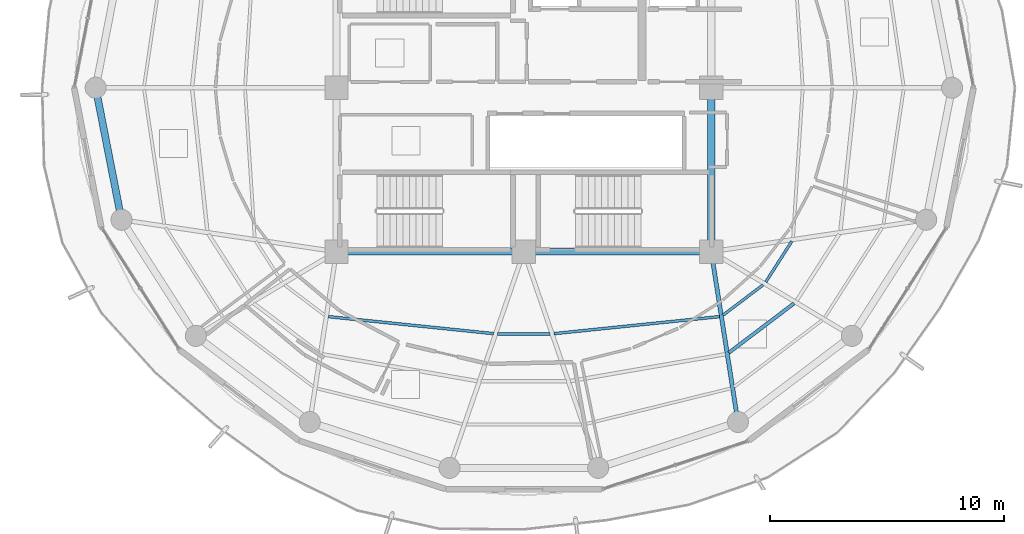
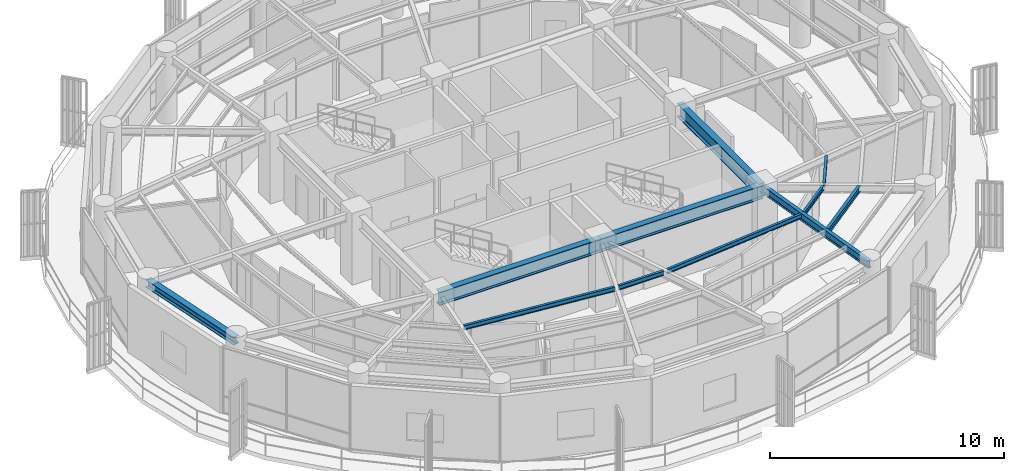
# One storey, part 6 of 23: 11 beams.
"""IFC4 building model written with IfcOpenShell, lengths in metres."""

from ifc_helpers import new_model, si_unit, direction, frame, origin, origin_2d, place, context, subcontext, project, spatial, i_section, extrude, material, material_profile, profile_set, type_object, element, save


model = new_model("IFC4")

# Units and contexts
model_context = context("Model", 3, precision=1e-05, world=origin(), true_north=direction((0.0, 1.0)))
body_context = subcontext(model_context, "Body", "Model", "MODEL_VIEW")
ifc_project = project(units=[si_unit("LENGTHUNIT", "METRE"), si_unit("AREAUNIT", "SQUARE_METRE"), si_unit("VOLUMEUNIT", "CUBIC_METRE"), si_unit("PLANEANGLEUNIT", "RADIAN"), si_unit("MASSUNIT", "GRAM", prefix="KILO")], contexts=[model_context])

# Site, building, storey
site_placement = place(None, origin())
site = spatial("IfcSite", under=ifc_project, at=site_placement, CompositionType="ELEMENT")
building_placement = place(site_placement, origin())
building = spatial("IfcBuilding", under=site, at=building_placement, Name="Kelanora Arch Commons", CompositionType="ELEMENT")
storey_placement = place(building_placement, frame((0.0, 0.0, 282.449951171875)))
storey = spatial("IfcBuildingStorey", under=building, at=storey_placement, Name="L72", CompositionType="ELEMENT", Elevation=282.449951171875)

# Beams
ifc_material = material(Name="Steel S355", Category="steel")
ifc_material_profile_1 = material_profile(ifc_material, i_section(OverallWidth=0.300048828125, OverallDepth=0.699951171875, WebThickness=0.01708984375, FlangeThickness=0.031982421875, FilletRadius=0.027099609375, at=origin_2d()), Name="HEB700")
ifc_profile_set_1 = profile_set([ifc_material_profile_1], Name="Steel S355")
beam_type_1 = type_object("IfcBeamType", Name="BM-CORE-HDR", PredefinedType="BEAM", material=ifc_profile_set_1)
for number, where, z_axis, x_axis, name in (
    (1, (66.0, 51.0, 3.14013671875), (1.0, 0.0, 0.0), (0.0, 1.0, 0.0), "Core Header Beam 01 L72"),
    (2, (74.0, 51.0, 3.14013671875), (1.0, 0.0, 0.0), (0.0, 1.0, 0.0), "Core Header Beam 02 L72"),
):
    element("IfcBeam", number, at=place(storey_placement, frame(where, z_axis=z_axis, x_axis=x_axis)), inside=storey, type_object=beam_type_1, Name=name, PredefinedType="BEAM", context=body_context, shape_type="SweptSolid", body=[
        extrude(i_section(OverallWidth=0.300048828125, OverallDepth=0.699951171875, WebThickness=0.01708984375, FlangeThickness=0.031982421875, FilletRadius=0.027099609375, at=origin_2d()), origin(), (0.0, 0.0, 1.0), 8.0),
    ])
beam_1_placement = place(storey_placement, frame((82.0, 51.0, 3.14013671875), z_axis=(0.0, 1.0, 0.0), x_axis=(-1.0, 0.0, 0.0)))
element("IfcBeam", 3, at=beam_1_placement, inside=storey, type_object=beam_type_1, Name="Core Header Beam 03 L72", PredefinedType="BEAM", context=body_context, shape_type="SweptSolid", body=[
    extrude(i_section(OverallWidth=0.300048828125, OverallDepth=0.699951171875, WebThickness=0.01708984375, FlangeThickness=0.031982421875, FilletRadius=0.027099609375, at=origin_2d()), origin(), (0.0, 0.0, 1.0), 7.0),
])
ifc_material_profile_2 = material_profile(ifc_material, i_section(OverallWidth=0.14990234375, OverallDepth=0.300048828125, WebThickness=0.007080078125, FlangeThickness=0.0107421875, FilletRadius=0.014892578125, at=origin_2d()), Name="IPE300")
ifc_profile_set_2 = profile_set([ifc_material_profile_2], Name="Steel S355")
beam_type_2 = type_object("IfcBeamType", Name="BM-JST-01", PredefinedType="JOIST", material=ifc_profile_set_2)
beam_2_placement = place(storey_placement, frame((82.751708984375, 46.68798828125, 3.340087890625), z_axis=(0.797499198801, 0.603320004568, 0.0), x_axis=(-0.603320004568, 0.797499198801, 0.0)))
element("IfcBeam", 4, at=beam_2_placement, inside=storey, type_object=beam_type_2, Name="Secondary Chord Joist BJB-30 L72", PredefinedType="JOIST", context=body_context, shape_type="SweptSolid", body=[
    extrude(i_section(OverallWidth=0.14990234375, OverallDepth=0.300048828125, WebThickness=0.007080078125, FlangeThickness=0.0107421875, FilletRadius=0.014892578125, at=origin_2d()), origin(), (0.0, 0.0, 1.0), 3.489013671875),
])
ifc_material_profile_3 = material_profile(ifc_material, i_section(OverallWidth=0.1201171875, OverallDepth=0.239990234375, WebThickness=0.006103515625, FlangeThickness=0.009765625, FilletRadius=0.014892578125, at=origin_2d()), Name="IPE240")
ifc_profile_set_3 = profile_set([ifc_material_profile_3], Name="Steel S355")
beam_type_3 = type_object("IfcBeamType", Name="BM-JST-02", PredefinedType="JOIST", material=ifc_profile_set_3)
beam_3_placement = place(storey_placement, frame((65.6513671875, 48.227783203125, 3.3701171875), z_axis=(0.994746545688, -0.102368500239, 0.0), x_axis=(0.102368500239, 0.994746545688, 0.0)))
element("IfcBeam", 5, at=beam_3_placement, inside=storey, type_object=beam_type_3, Name="Secondary Chord Joist BJA-24 L72", PredefinedType="JOIST", context=body_context, shape_type="SweptSolid", body=[
    extrude(i_section(OverallWidth=0.1201171875, OverallDepth=0.239990234375, WebThickness=0.006103515625, FlangeThickness=0.009765625, FilletRadius=0.014892578125, at=origin_2d()), origin(), (0.0, 0.0, 1.0), 7.09521484375),
])
beam_4_placement = place(storey_placement, frame((72.87890625, 47.492919921875, 3.3701171875), z_axis=(1.0, 0.0, 0.0), x_axis=(0.0, 1.0, 0.0)))
element("IfcBeam", 6, at=beam_4_placement, inside=storey, type_object=beam_type_3, Name="Secondary Chord Joist BJA-26 L72", PredefinedType="JOIST", context=body_context, shape_type="SweptSolid", body=[
    extrude(i_section(OverallWidth=0.1201171875, OverallDepth=0.239990234375, WebThickness=0.006103515625, FlangeThickness=0.009765625, FilletRadius=0.014892578125, at=origin_2d()), origin(), (0.0, 0.0, 1.0), 2.2421875),
])
beam_5_placement = place(storey_placement, frame((75.290771484375, 47.50146484375, 3.3701171875), z_axis=(0.994746545688, 0.102368500239, 0.0), x_axis=(-0.102368500239, 0.994746545688, 0.0)))
element("IfcBeam", 7, at=beam_5_placement, inside=storey, type_object=beam_type_3, Name="Secondary Chord Joist BJA-28 L72", PredefinedType="JOIST", context=body_context, shape_type="SweptSolid", body=[
    extrude(i_section(OverallWidth=0.1201171875, OverallDepth=0.239990234375, WebThickness=0.006103515625, FlangeThickness=0.009765625, FilletRadius=0.014892578125, at=origin_2d()), origin(), (0.0, 0.0, 1.0), 7.09521484375),
])
beam_6_placement = place(storey_placement, frame((82.5009765625, 48.287841796875, 3.3701171875), z_axis=(0.797509883882, 0.603305880222, 0.0), x_axis=(-0.603305880222, 0.797509883882, 0.0)))
element("IfcBeam", 8, at=beam_6_placement, inside=storey, type_object=beam_type_3, Name="Secondary Chord Joist BJA-30 L72", PredefinedType="JOIST", context=body_context, shape_type="SweptSolid", body=[
    extrude(i_section(OverallWidth=0.1201171875, OverallDepth=0.239990234375, WebThickness=0.006103515625, FlangeThickness=0.009765625, FilletRadius=0.014892578125, at=origin_2d()), origin(), (0.0, 0.0, 1.0), 2.147216796875),
])
beam_7_placement = place(storey_placement, frame((84.3271484375, 49.706298828125, 3.3701171875), z_axis=(0.539311810315, 0.842106152011, 0.0), x_axis=(-0.842106152011, 0.539311810315, 0.0)))
element("IfcBeam", 9, at=beam_7_placement, inside=storey, type_object=beam_type_3, Name="Secondary Chord Joist BJA-32 L72", PredefinedType="JOIST", context=body_context, shape_type="SweptSolid", body=[
    extrude(i_section(OverallWidth=0.1201171875, OverallDepth=0.239990234375, WebThickness=0.006103515625, FlangeThickness=0.009765625, FilletRadius=0.014892578125, at=origin_2d()), origin(), (0.0, 0.0, 1.0), 2.06640625),
])
ifc_material_profile_4 = material_profile(ifc_material, i_section(OverallWidth=0.179931640625, OverallDepth=0.39990234375, WebThickness=0.008544921875, FlangeThickness=0.013427734375, FilletRadius=0.02099609375, at=origin_2d()), Name="IPE400")
ifc_profile_set_4 = profile_set([ifc_material_profile_4], Name="Steel S355")
beam_type_4 = type_object("IfcBeamType", Name="BM-RAD-Z5", PredefinedType="BEAM", material=ifc_profile_set_4)
beam_8_placement = place(storey_placement, frame((82.0, 51.0, 3.2900390625), z_axis=(0.154855424129, -0.987937142544, 0.0), x_axis=(0.987937142544, 0.154855424129, 0.0)))
element("IfcBeam", 10, at=beam_8_placement, inside=storey, type_object=beam_type_4, Name="Radial Floor Girder BR-30 L72", PredefinedType="BEAM", context=body_context, shape_type="SweptSolid", body=[
    extrude(i_section(OverallWidth=0.179931640625, OverallDepth=0.39990234375, WebThickness=0.008544921875, FlangeThickness=0.013427734375, FilletRadius=0.02099609375, at=origin_2d()), origin(), (0.0, 0.0, 1.0), 7.361083984375),
])
ifc_material_profile_5 = material_profile(ifc_material, i_section(OverallWidth=0.300048828125, OverallDepth=0.39990234375, WebThickness=0.013427734375, FlangeThickness=0.02392578125, FilletRadius=0.027099609375, at=origin_2d()), Name="HEB400")
ifc_profile_set_5 = profile_set([ifc_material_profile_5], Name="Steel S355")
beam_type_5 = type_object("IfcBeamType", Name="BM-SPN-Z4", PredefinedType="SPANDREL", material=ifc_profile_set_5)
beam_9_placement = place(storey_placement, frame((55.719970703125, 58.0, 3.2900390625), z_axis=(0.191969774604, -0.981400838413, 0.0), x_axis=(0.981400838413, 0.191969774604, 0.0)))
element("IfcBeam", 11, at=beam_9_placement, inside=storey, type_object=beam_type_5, Name="Perimeter Spandrel Beam BS-18 L72", PredefinedType="SPANDREL", context=body_context, shape_type="SweptSolid", body=[
    extrude(i_section(OverallWidth=0.300048828125, OverallDepth=0.39990234375, WebThickness=0.013427734375, FlangeThickness=0.02392578125, FilletRadius=0.027099609375, at=origin_2d()), origin(), (0.0, 0.0, 1.0), 5.743408203125),
])

save(model, "model.ifc")
